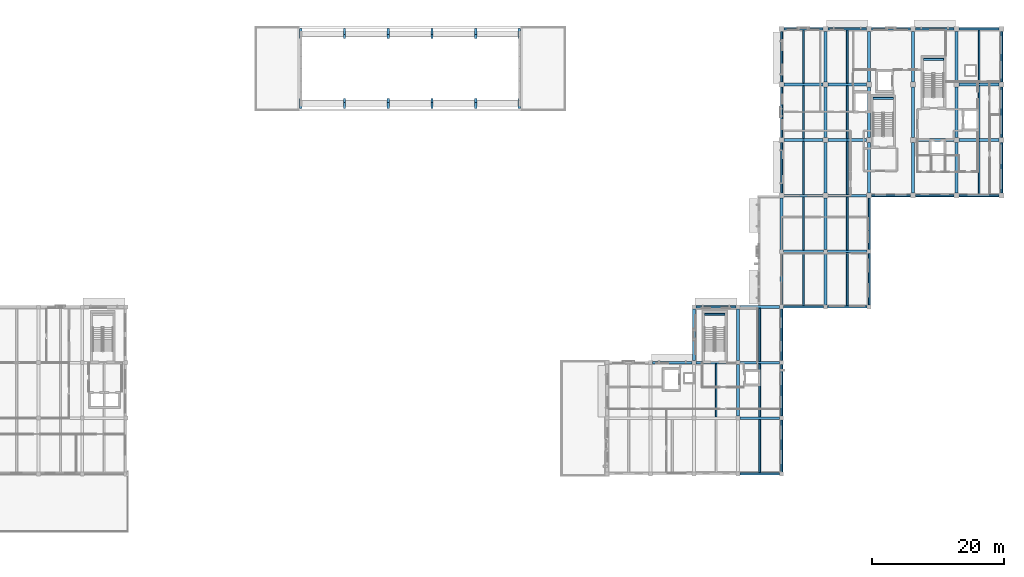
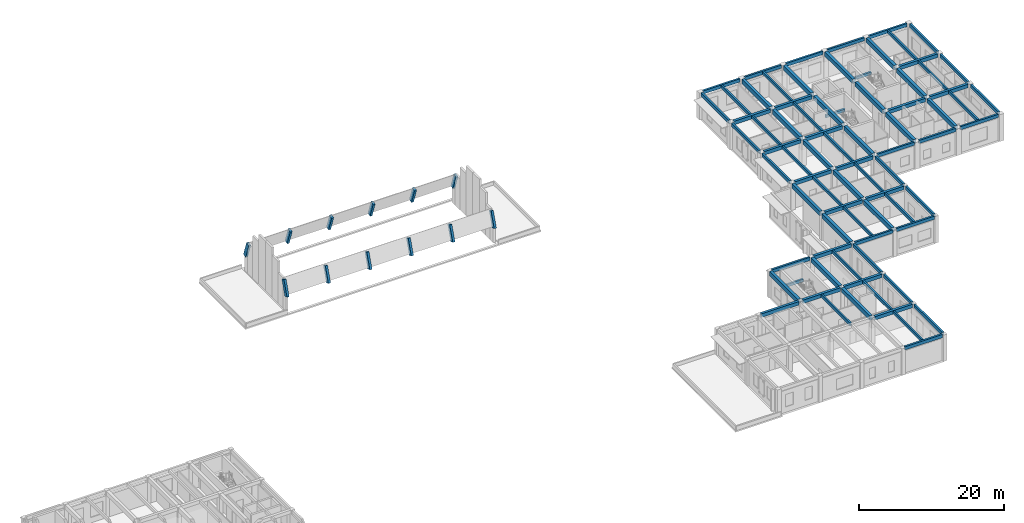
# One storey, part 2 of 25: 90 beams.
"""IFC4 building model written with IfcOpenShell, lengths in metres."""

from ifc_helpers import new_model, si_unit, direction, frame, origin, origin_2d, place, context, subcontext, project, spatial, rectangle, extrude, material, material_profile, profile_set, type_object, element, save


model = new_model("IFC4")

# Units and contexts
model_context = context("Model", 3, precision=1e-05, world=origin(), true_north=direction((0.0, 1.0)))
body_context = subcontext(model_context, "Body", "Model", "MODEL_VIEW")
ifc_project = project(units=[si_unit("LENGTHUNIT", "METRE"), si_unit("AREAUNIT", "SQUARE_METRE"), si_unit("VOLUMEUNIT", "CUBIC_METRE"), si_unit("PLANEANGLEUNIT", "RADIAN"), si_unit("MASSUNIT", "GRAM", prefix="KILO")], contexts=[model_context])

# Site, building, storey
site_placement = place(None, origin())
site = spatial("IfcSite", under=ifc_project, at=site_placement, CompositionType="ELEMENT")
building_placement = place(site_placement, origin())
building = spatial("IfcBuilding", under=site, at=building_placement, Name="Kolvaren Faculty of Natural Sciences", CompositionType="ELEMENT")
storey_placement = place(building_placement, frame((0.0, 0.0, 19.5)))
storey = spatial("IfcBuildingStorey", under=building, at=storey_placement, Name="L04", CompositionType="ELEMENT", Elevation=19.5)

# Beams
ifc_material_1 = material(Name="Concrete C40/50", Category="concrete")
ifc_material_profile_1 = material_profile(ifc_material_1, rectangle(XDim=0.300048828125, YDim=0.449951171875, at=origin_2d()), Name="RC LNT 300x450")
ifc_profile_set_1 = profile_set([ifc_material_profile_1], Name="Concrete C40/50")
beam_type_1 = type_object("IfcBeamType", Name="CoreCouplingLintel_300x450", PredefinedType="LINTEL", material=ifc_profile_set_1)
beam_1_placement = place(storey_placement, frame((160.22509765625, 79.580078125, 1.824951171875), z_axis=(1.0, 0.0, 0.0), x_axis=(0.0, 1.0, 0.0)))
element("IfcBeam", 1, at=beam_1_placement, inside=storey, type_object=beam_type_1, Name="L04 ST-1 half-landing support lintel", PredefinedType="LINTEL", context=body_context, shape_type="SweptSolid", body=[
    extrude(rectangle(XDim=0.300048828125, YDim=0.449951171875, at=origin_2d()), origin(), (0.0, 0.0, 1.0), 3.0498046875),
])
for number, where, z_axis, x_axis, name in (
    (2, (152.625, 73.679931640625, 1.824951171875), (1.0, 0.0, 0.0), (0.0, 1.0, 0.0), "L04 ST-2 half-landing support lintel"),
    (3, (127.175048828125, 41.1298828125, 1.824951171875), (1.0, 0.0, 0.0), (0.0, 1.0, 0.0), "L04 ST-3 half-landing support lintel"),
):
    element("IfcBeam", number, at=place(storey_placement, frame(where, z_axis=z_axis, x_axis=x_axis)), inside=storey, type_object=beam_type_1, Name=name, PredefinedType="LINTEL", context=body_context, shape_type="SweptSolid", body=[
        extrude(rectangle(XDim=0.300048828125, YDim=0.449951171875, at=origin_2d()), origin(), (0.0, 0.0, 1.0), 3.050048828125),
    ])
ifc_material_2 = material(Name="Concrete C35/45", Category="concrete")
ifc_material_profile_2 = material_profile(ifc_material_2, rectangle(XDim=0.39990234375, YDim=0.60009765625, at=origin_2d()), Name="RC BM 400x600")
ifc_profile_set_2 = profile_set([ifc_material_profile_2], Name="Concrete C35/45")
beam_type_2 = type_object("IfcBeamType", Name="GridBeam_400x600", PredefinedType="BEAM", material=ifc_profile_set_2)
for number, where, z_axis, x_axis, name in (
    (4, (132.5, 25.39990234375, 4.199951171875), (1.0, 0.0, 0.0), (0.0, 1.0, 0.0), "L04 beam BM-60 on grid D"),
    (5, (119.300048828125, 33.800048828125, 4.199951171875), (1.0, 0.0, 0.0), (0.0, 1.0, 0.0), "L04 beam BM-60 on grid E"),
    (6, (125.89990234375, 33.800048828125, 4.199951171875), (1.0, 0.0, 0.0), (0.0, 1.0, 0.0), "L04 beam BM-60 on grid E"),
    (7, (132.5, 33.800048828125, 4.199951171875), (1.0, 0.0, 0.0), (0.0, 1.0, 0.0), "L04 beam BM-60 on grid E"),
    (8, (132.5, 42.199951171875, 4.199951171875), (1.0, 0.0, 0.0), (0.0, 1.0, 0.0), "L04 beam BM-60 on grid F"),
    (9, (139.10009765625, 50.60009765625, 4.199951171875), (1.0, 0.0, 0.0), (0.0, 1.0, 0.0), "L04 beam BM-60 on grid G"),
    (10, (145.699951171875, 50.60009765625, 4.199951171875), (1.0, 0.0, 0.0), (0.0, 1.0, 0.0), "L04 beam BM-60 on grid G"),
):
    element("IfcBeam", number, at=place(storey_placement, frame(where, z_axis=z_axis, x_axis=x_axis)), inside=storey, type_object=beam_type_2, Name=name, PredefinedType="BEAM", context=body_context, shape_type="SweptSolid", body=[
        extrude(rectangle(XDim=0.39990234375, YDim=0.60009765625, at=origin_2d()), origin(), (0.0, 0.0, 1.0), 6.0),
    ])
beam_2_placement = place(storey_placement, frame((139.175048828125, 59.0, 4.199951171875), z_axis=(1.0, 0.0, 0.0), x_axis=(0.0, 1.0, 0.0)))
element("IfcBeam", 11, at=beam_2_placement, inside=storey, type_object=beam_type_2, Name="L04 beam BM-60 on grid H", PredefinedType="BEAM", context=body_context, shape_type="SweptSolid", body=[
    extrude(rectangle(XDim=0.39990234375, YDim=0.60009765625, at=origin_2d()), origin(), (0.0, 0.0, 1.0), 5.849853515625),
])
beam_3_placement = place(storey_placement, frame((145.77490234375, 59.0, 4.199951171875), z_axis=(1.0, 0.0, 0.0), x_axis=(0.0, 1.0, 0.0)))
element("IfcBeam", 12, at=beam_3_placement, inside=storey, type_object=beam_type_2, Name="L04 beam BM-60 on grid H", PredefinedType="BEAM", context=body_context, shape_type="SweptSolid", body=[
    extrude(rectangle(XDim=0.39990234375, YDim=0.60009765625, at=origin_2d()), origin(), (0.0, 0.0, 1.0), 5.85009765625),
])
beam_4_placement = place(storey_placement, frame((139.175048828125, 67.39990234375, 4.199951171875), z_axis=(1.0, 0.0, 0.0), x_axis=(0.0, 1.0, 0.0)))
element("IfcBeam", 13, at=beam_4_placement, inside=storey, type_object=beam_type_2, Name="L04 beam BM-60 on grid J", PredefinedType="BEAM", context=body_context, shape_type="SweptSolid", body=[
    extrude(rectangle(XDim=0.39990234375, YDim=0.60009765625, at=origin_2d()), origin(), (0.0, 0.0, 1.0), 5.849853515625),
])
beam_5_placement = place(storey_placement, frame((145.77490234375, 67.39990234375, 4.199951171875), z_axis=(1.0, 0.0, 0.0), x_axis=(0.0, 1.0, 0.0)))
element("IfcBeam", 14, at=beam_5_placement, inside=storey, type_object=beam_type_2, Name="L04 beam BM-60 on grid J", PredefinedType="BEAM", context=body_context, shape_type="SweptSolid", body=[
    extrude(rectangle(XDim=0.39990234375, YDim=0.60009765625, at=origin_2d()), origin(), (0.0, 0.0, 1.0), 5.85009765625),
])
beam_6_placement = place(storey_placement, frame((158.97509765625, 67.39990234375, 4.199951171875), z_axis=(1.0, 0.0, 0.0), x_axis=(0.0, 1.0, 0.0)))
element("IfcBeam", 15, at=beam_6_placement, inside=storey, type_object=beam_type_2, Name="L04 beam BM-60 on grid J", PredefinedType="BEAM", context=body_context, shape_type="SweptSolid", body=[
    extrude(rectangle(XDim=0.39990234375, YDim=0.60009765625, at=origin_2d()), origin(), (0.0, 0.0, 1.0), 5.849853515625),
])
beam_7_placement = place(storey_placement, frame((165.574951171875, 67.39990234375, 4.199951171875), z_axis=(1.0, 0.0, 0.0), x_axis=(0.0, 1.0, 0.0)))
element("IfcBeam", 16, at=beam_7_placement, inside=storey, type_object=beam_type_2, Name="L04 beam BM-60 on grid J", PredefinedType="BEAM", context=body_context, shape_type="SweptSolid", body=[
    extrude(rectangle(XDim=0.39990234375, YDim=0.60009765625, at=origin_2d()), origin(), (0.0, 0.0, 1.0), 6.050048828125),
])
beam_8_placement = place(storey_placement, frame((139.175048828125, 75.800048828125, 4.199951171875), z_axis=(1.0, 0.0, 0.0), x_axis=(0.0, 1.0, 0.0)))
element("IfcBeam", 17, at=beam_8_placement, inside=storey, type_object=beam_type_2, Name="L04 beam BM-60 on grid K", PredefinedType="BEAM", context=body_context, shape_type="SweptSolid", body=[
    extrude(rectangle(XDim=0.39990234375, YDim=0.60009765625, at=origin_2d()), origin(), (0.0, 0.0, 1.0), 5.849853515625),
])
beam_9_placement = place(storey_placement, frame((145.77490234375, 75.800048828125, 4.199951171875), z_axis=(1.0, 0.0, 0.0), x_axis=(0.0, 1.0, 0.0)))
element("IfcBeam", 18, at=beam_9_placement, inside=storey, type_object=beam_type_2, Name="L04 beam BM-60 on grid K", PredefinedType="BEAM", context=body_context, shape_type="SweptSolid", body=[
    extrude(rectangle(XDim=0.39990234375, YDim=0.60009765625, at=origin_2d()), origin(), (0.0, 0.0, 1.0), 5.85009765625),
])
beam_10_placement = place(storey_placement, frame((165.574951171875, 75.800048828125, 4.199951171875), z_axis=(1.0, 0.0, 0.0), x_axis=(0.0, 1.0, 0.0)))
element("IfcBeam", 19, at=beam_10_placement, inside=storey, type_object=beam_type_2, Name="L04 beam BM-60 on grid K", PredefinedType="BEAM", context=body_context, shape_type="SweptSolid", body=[
    extrude(rectangle(XDim=0.39990234375, YDim=0.60009765625, at=origin_2d()), origin(), (0.0, 0.0, 1.0), 6.050048828125),
])
ifc_material_profile_3 = material_profile(ifc_material_2, rectangle(XDim=0.260009765625, YDim=0.5, at=origin_2d()), Name="RC JST 260x500")
ifc_profile_set_3 = profile_set([ifc_material_profile_3], Name="Concrete C35/45")
beam_type_3 = type_object("IfcBeamType", Name="LabRibJoist_260x500", PredefinedType="JOIST", material=ifc_profile_set_3)
beam_11_placement = place(storey_placement, frame((128.89990234375, 25.60009765625, 4.25), z_axis=(0.0, 1.0, 0.0), x_axis=(-1.0, 0.0, 0.0)))
element("IfcBeam", 20, at=beam_11_placement, inside=storey, type_object=beam_type_3, Name="L04 ribbed laboratory slab joist JS-50", PredefinedType="JOIST", context=body_context, shape_type="SweptSolid", body=[
    extrude(rectangle(XDim=0.260009765625, YDim=0.5, at=origin_2d()), origin(), (0.0, 0.0, 1.0), 8.0),
])
beam_12_placement = place(storey_placement, frame((135.5, 17.14990234375, 4.25), z_axis=(0.0, 1.0, 0.0), x_axis=(-1.0, 0.0, 0.0)))
element("IfcBeam", 21, at=beam_12_placement, inside=storey, type_object=beam_type_3, Name="L04 ribbed laboratory slab joist JS-50", PredefinedType="JOIST", context=body_context, shape_type="SweptSolid", body=[
    extrude(rectangle(XDim=0.260009765625, YDim=0.5, at=origin_2d()), origin(), (0.0, 0.0, 1.0), 8.050048828125),
])
for number, where, z_axis, x_axis, name in (
    (22, (135.5, 25.60009765625, 4.25), (0.0, 1.0, 0.0), (-1.0, 0.0, 0.0), "L04 ribbed laboratory slab joist JS-50"),
    (23, (135.5, 34.0, 4.25), (0.0, 1.0, 0.0), (-1.0, 0.0, 0.0), "L04 ribbed laboratory slab joist JS-50"),
):
    element("IfcBeam", number, at=place(storey_placement, frame(where, z_axis=z_axis, x_axis=x_axis)), inside=storey, type_object=beam_type_3, Name=name, PredefinedType="JOIST", context=body_context, shape_type="SweptSolid", body=[
        extrude(rectangle(XDim=0.260009765625, YDim=0.5, at=origin_2d()), origin(), (0.0, 0.0, 1.0), 8.0),
    ])
beam_13_placement = place(storey_placement, frame((142.10009765625, 42.35009765625, 4.25), z_axis=(0.0, 1.0, 0.0), x_axis=(-1.0, 0.0, 0.0)))
element("IfcBeam", 24, at=beam_13_placement, inside=storey, type_object=beam_type_3, Name="L04 ribbed laboratory slab joist JS-50", PredefinedType="JOIST", context=body_context, shape_type="SweptSolid", body=[
    extrude(rectangle(XDim=0.260009765625, YDim=0.5, at=origin_2d()), origin(), (0.0, 0.0, 1.0), 8.0498046875),
])
for number, where, z_axis, x_axis, name in (
    (25, (142.10009765625, 50.800048828125, 4.25), (0.0, 1.0, 0.0), (-1.0, 0.0, 0.0), "L04 ribbed laboratory slab joist JS-50"),
    (26, (142.10009765625, 59.199951171875, 4.25), (0.0, 1.0, 0.0), (-1.0, 0.0, 0.0), "L04 ribbed laboratory slab joist JS-50"),
    (27, (142.10009765625, 67.60009765625, 4.25), (0.0, 1.0, 0.0), (-1.0, 0.0, 0.0), "L04 ribbed laboratory slab joist JS-50"),
):
    element("IfcBeam", number, at=place(storey_placement, frame(where, z_axis=z_axis, x_axis=x_axis)), inside=storey, type_object=beam_type_3, Name=name, PredefinedType="JOIST", context=body_context, shape_type="SweptSolid", body=[
        extrude(rectangle(XDim=0.260009765625, YDim=0.5, at=origin_2d()), origin(), (0.0, 0.0, 1.0), 8.0),
    ])
beam_14_placement = place(storey_placement, frame((142.10009765625, 76.0, 4.25), z_axis=(0.0, 1.0, 0.0), x_axis=(-1.0, 0.0, 0.0)))
element("IfcBeam", 28, at=beam_14_placement, inside=storey, type_object=beam_type_3, Name="L04 ribbed laboratory slab joist JS-50", PredefinedType="JOIST", context=body_context, shape_type="SweptSolid", body=[
    extrude(rectangle(XDim=0.260009765625, YDim=0.5, at=origin_2d()), origin(), (0.0, 0.0, 1.0), 8.050048828125),
])
beam_15_placement = place(storey_placement, frame((148.699951171875, 42.35009765625, 4.25), z_axis=(0.0, 1.0, 0.0), x_axis=(-1.0, 0.0, 0.0)))
element("IfcBeam", 29, at=beam_15_placement, inside=storey, type_object=beam_type_3, Name="L04 ribbed laboratory slab joist JS-50", PredefinedType="JOIST", context=body_context, shape_type="SweptSolid", body=[
    extrude(rectangle(XDim=0.260009765625, YDim=0.5, at=origin_2d()), origin(), (0.0, 0.0, 1.0), 8.0498046875),
])
for number, where, z_axis, x_axis, name in (
    (30, (148.699951171875, 50.800048828125, 4.25), (0.0, 1.0, 0.0), (-1.0, 0.0, 0.0), "L04 ribbed laboratory slab joist JS-50"),
    (31, (148.699951171875, 59.199951171875, 4.25), (0.0, 1.0, 0.0), (-1.0, 0.0, 0.0), "L04 ribbed laboratory slab joist JS-50"),
    (32, (148.699951171875, 67.60009765625, 4.25), (0.0, 1.0, 0.0), (-1.0, 0.0, 0.0), "L04 ribbed laboratory slab joist JS-50"),
):
    element("IfcBeam", number, at=place(storey_placement, frame(where, z_axis=z_axis, x_axis=x_axis)), inside=storey, type_object=beam_type_3, Name=name, PredefinedType="JOIST", context=body_context, shape_type="SweptSolid", body=[
        extrude(rectangle(XDim=0.260009765625, YDim=0.5, at=origin_2d()), origin(), (0.0, 0.0, 1.0), 8.0),
    ])
for number, where, z_axis, x_axis, name in (
    (33, (148.699951171875, 76.0, 4.25), (0.0, 1.0, 0.0), (-1.0, 0.0, 0.0), "L04 ribbed laboratory slab joist JS-50"),
    (34, (168.60009765625, 59.14990234375, 4.25), (0.0, 1.0, 0.0), (-1.0, 0.0, 0.0), "L04 ribbed laboratory slab joist JS-50"),
):
    element("IfcBeam", number, at=place(storey_placement, frame(where, z_axis=z_axis, x_axis=x_axis)), inside=storey, type_object=beam_type_3, Name=name, PredefinedType="JOIST", context=body_context, shape_type="SweptSolid", body=[
        extrude(rectangle(XDim=0.260009765625, YDim=0.5, at=origin_2d()), origin(), (0.0, 0.0, 1.0), 8.050048828125),
    ])
beam_16_placement = place(storey_placement, frame((168.60009765625, 67.60009765625, 4.25), z_axis=(0.0, 1.0, 0.0), x_axis=(-1.0, 0.0, 0.0)))
element("IfcBeam", 35, at=beam_16_placement, inside=storey, type_object=beam_type_3, Name="L04 ribbed laboratory slab joist JS-50", PredefinedType="JOIST", context=body_context, shape_type="SweptSolid", body=[
    extrude(rectangle(XDim=0.260009765625, YDim=0.5, at=origin_2d()), origin(), (0.0, 0.0, 1.0), 8.0),
])
beam_17_placement = place(storey_placement, frame((168.60009765625, 76.0, 4.25), z_axis=(0.0, 1.0, 0.0), x_axis=(-1.0, 0.0, 0.0)))
element("IfcBeam", 36, at=beam_17_placement, inside=storey, type_object=beam_type_3, Name="L04 ribbed laboratory slab joist JS-50", PredefinedType="JOIST", context=body_context, shape_type="SweptSolid", body=[
    extrude(rectangle(XDim=0.260009765625, YDim=0.5, at=origin_2d()), origin(), (0.0, 0.0, 1.0), 8.050048828125),
])
ifc_material_profile_4 = material_profile(ifc_material_2, rectangle(XDim=0.300048828125, YDim=0.550048828125, at=origin_2d()), Name="RC SP 300x550")
ifc_profile_set_4 = profile_set([ifc_material_profile_4], Name="Concrete C35/45")
beam_type_4 = type_object("IfcBeamType", Name="PerimeterSpandrel_300x550", PredefinedType="SPANDREL", material=ifc_profile_set_4)
for number, where, z_axis, x_axis, name in (
    (37, (132.5, 17.0, 4.22509765625), (1.0, 0.0, 0.0), (0.0, 1.0, 0.0), "L04 spandrel SP-55 on grid C"),
    (38, (125.89990234375, 42.199951171875, 4.22509765625), (1.0, 0.0, 0.0), (0.0, 1.0, 0.0), "L04 spandrel SP-55 on grid F"),
    (39, (139.10009765625, 42.199951171875, 4.22509765625), (1.0, 0.0, 0.0), (0.0, 1.0, 0.0), "L04 spandrel SP-55 on grid F"),
    (40, (145.699951171875, 42.199951171875, 4.22509765625), (1.0, 0.0, 0.0), (0.0, 1.0, 0.0), "L04 spandrel SP-55 on grid F"),
):
    element("IfcBeam", number, at=place(storey_placement, frame(where, z_axis=z_axis, x_axis=x_axis)), inside=storey, type_object=beam_type_4, Name=name, PredefinedType="SPANDREL", context=body_context, shape_type="SweptSolid", body=[
        extrude(rectangle(XDim=0.300048828125, YDim=0.550048828125, at=origin_2d()), origin(), (0.0, 0.0, 1.0), 6.0),
    ])
beam_18_placement = place(storey_placement, frame((152.375, 59.0, 4.22509765625), z_axis=(1.0, 0.0, 0.0), x_axis=(0.0, 1.0, 0.0)))
element("IfcBeam", 41, at=beam_18_placement, inside=storey, type_object=beam_type_4, Name="L04 spandrel SP-55 on grid H", PredefinedType="SPANDREL", context=body_context, shape_type="SweptSolid", body=[
    extrude(rectangle(XDim=0.300048828125, YDim=0.550048828125, at=origin_2d()), origin(), (0.0, 0.0, 1.0), 5.85009765625),
])
beam_19_placement = place(storey_placement, frame((158.97509765625, 59.0, 4.22509765625), z_axis=(1.0, 0.0, 0.0), x_axis=(0.0, 1.0, 0.0)))
element("IfcBeam", 42, at=beam_19_placement, inside=storey, type_object=beam_type_4, Name="L04 spandrel SP-55 on grid H", PredefinedType="SPANDREL", context=body_context, shape_type="SweptSolid", body=[
    extrude(rectangle(XDim=0.300048828125, YDim=0.550048828125, at=origin_2d()), origin(), (0.0, 0.0, 1.0), 5.849853515625),
])
beam_20_placement = place(storey_placement, frame((165.574951171875, 59.0, 4.22509765625), z_axis=(1.0, 0.0, 0.0), x_axis=(0.0, 1.0, 0.0)))
element("IfcBeam", 43, at=beam_20_placement, inside=storey, type_object=beam_type_4, Name="L04 spandrel SP-55 on grid H", PredefinedType="SPANDREL", context=body_context, shape_type="SweptSolid", body=[
    extrude(rectangle(XDim=0.300048828125, YDim=0.550048828125, at=origin_2d()), origin(), (0.0, 0.0, 1.0), 6.050048828125),
])
beam_21_placement = place(storey_placement, frame((139.175048828125, 84.199951171875, 4.22509765625), z_axis=(1.0, 0.0, 0.0), x_axis=(0.0, 1.0, 0.0)))
element("IfcBeam", 44, at=beam_21_placement, inside=storey, type_object=beam_type_4, Name="L04 spandrel SP-55 on grid L", PredefinedType="SPANDREL", context=body_context, shape_type="SweptSolid", body=[
    extrude(rectangle(XDim=0.300048828125, YDim=0.550048828125, at=origin_2d()), origin(), (0.0, 0.0, 1.0), 5.849853515625),
])
for number, where, z_axis, x_axis, name in (
    (45, (145.77490234375, 84.199951171875, 4.22509765625), (1.0, 0.0, 0.0), (0.0, 1.0, 0.0), "L04 spandrel SP-55 on grid L"),
    (46, (152.375, 84.199951171875, 4.22509765625), (1.0, 0.0, 0.0), (0.0, 1.0, 0.0), "L04 spandrel SP-55 on grid L"),
):
    element("IfcBeam", number, at=place(storey_placement, frame(where, z_axis=z_axis, x_axis=x_axis)), inside=storey, type_object=beam_type_4, Name=name, PredefinedType="SPANDREL", context=body_context, shape_type="SweptSolid", body=[
        extrude(rectangle(XDim=0.300048828125, YDim=0.550048828125, at=origin_2d()), origin(), (0.0, 0.0, 1.0), 5.85009765625),
    ])
beam_22_placement = place(storey_placement, frame((158.97509765625, 84.199951171875, 4.22509765625), z_axis=(1.0, 0.0, 0.0), x_axis=(0.0, 1.0, 0.0)))
element("IfcBeam", 47, at=beam_22_placement, inside=storey, type_object=beam_type_4, Name="L04 spandrel SP-55 on grid L", PredefinedType="SPANDREL", context=body_context, shape_type="SweptSolid", body=[
    extrude(rectangle(XDim=0.300048828125, YDim=0.550048828125, at=origin_2d()), origin(), (0.0, 0.0, 1.0), 5.849853515625),
])
beam_23_placement = place(storey_placement, frame((165.574951171875, 84.199951171875, 4.22509765625), z_axis=(1.0, 0.0, 0.0), x_axis=(0.0, 1.0, 0.0)))
element("IfcBeam", 48, at=beam_23_placement, inside=storey, type_object=beam_type_4, Name="L04 spandrel SP-55 on grid L", PredefinedType="SPANDREL", context=body_context, shape_type="SweptSolid", body=[
    extrude(rectangle(XDim=0.300048828125, YDim=0.550048828125, at=origin_2d()), origin(), (0.0, 0.0, 1.0), 6.050048828125),
])
for number, where, z_axis, x_axis, name in (
    (49, (138.800048828125, 17.300048828125, 4.22509765625), (0.0, 1.0, 0.0), (-1.0, 0.0, 0.0), "L04 girder SP-55 on grid 22"),
    (50, (138.800048828125, 25.699951171875, 4.22509765625), (0.0, 1.0, 0.0), (-1.0, 0.0, 0.0), "L04 girder SP-55 on grid 22"),
):
    element("IfcBeam", number, at=place(storey_placement, frame(where, z_axis=z_axis, x_axis=x_axis)), inside=storey, type_object=beam_type_4, Name=name, PredefinedType="SPANDREL", context=body_context, shape_type="SweptSolid", body=[
        extrude(rectangle(XDim=0.300048828125, YDim=0.550048828125, at=origin_2d()), origin(), (0.0, 0.0, 1.0), 7.800048828125),
    ])
beam_24_placement = place(storey_placement, frame((138.800048828125, 34.10009765625, 4.22509765625), z_axis=(0.0, 1.0, 0.0), x_axis=(-1.0, 0.0, 0.0)))
element("IfcBeam", 51, at=beam_24_placement, inside=storey, type_object=beam_type_4, Name="L04 girder SP-55 on grid 22", PredefinedType="SPANDREL", context=body_context, shape_type="SweptSolid", body=[
    extrude(rectangle(XDim=0.300048828125, YDim=0.550048828125, at=origin_2d()), origin(), (0.0, 0.0, 1.0), 7.7998046875),
])
beam_25_placement = place(storey_placement, frame((138.800048828125, 59.375, 4.22509765625), z_axis=(0.0, 1.0, 0.0), x_axis=(-1.0, 0.0, 0.0)))
element("IfcBeam", 52, at=beam_25_placement, inside=storey, type_object=beam_type_4, Name="L04 girder SP-55 on grid 22", PredefinedType="SPANDREL", context=body_context, shape_type="SweptSolid", body=[
    extrude(rectangle(XDim=0.300048828125, YDim=0.550048828125, at=origin_2d()), origin(), (0.0, 0.0, 1.0), 7.64990234375),
])
beam_26_placement = place(storey_placement, frame((138.800048828125, 67.77490234375, 4.22509765625), z_axis=(0.0, 1.0, 0.0), x_axis=(-1.0, 0.0, 0.0)))
element("IfcBeam", 53, at=beam_26_placement, inside=storey, type_object=beam_type_4, Name="L04 girder SP-55 on grid 22", PredefinedType="SPANDREL", context=body_context, shape_type="SweptSolid", body=[
    extrude(rectangle(XDim=0.300048828125, YDim=0.550048828125, at=origin_2d()), origin(), (0.0, 0.0, 1.0), 7.650146484375),
])
beam_27_placement = place(storey_placement, frame((138.800048828125, 76.175048828125, 4.22509765625), z_axis=(0.0, 1.0, 0.0), x_axis=(-1.0, 0.0, 0.0)))
element("IfcBeam", 54, at=beam_27_placement, inside=storey, type_object=beam_type_4, Name="L04 girder SP-55 on grid 22", PredefinedType="SPANDREL", context=body_context, shape_type="SweptSolid", body=[
    extrude(rectangle(XDim=0.300048828125, YDim=0.550048828125, at=origin_2d()), origin(), (0.0, 0.0, 1.0), 7.64990234375),
])
beam_28_placement = place(storey_placement, frame((152.0, 42.5, 4.22509765625), z_axis=(0.0, 1.0, 0.0), x_axis=(-1.0, 0.0, 0.0)))
element("IfcBeam", 55, at=beam_28_placement, inside=storey, type_object=beam_type_4, Name="L04 girder SP-55 on grid 24", PredefinedType="SPANDREL", context=body_context, shape_type="SweptSolid", body=[
    extrude(rectangle(XDim=0.300048828125, YDim=0.550048828125, at=origin_2d()), origin(), (0.0, 0.0, 1.0), 7.800048828125),
])
beam_29_placement = place(storey_placement, frame((152.0, 50.89990234375, 4.22509765625), z_axis=(0.0, 1.0, 0.0), x_axis=(-1.0, 0.0, 0.0)))
element("IfcBeam", 56, at=beam_29_placement, inside=storey, type_object=beam_type_4, Name="L04 girder SP-55 on grid 24", PredefinedType="SPANDREL", context=body_context, shape_type="SweptSolid", body=[
    extrude(rectangle(XDim=0.300048828125, YDim=0.550048828125, at=origin_2d()), origin(), (0.0, 0.0, 1.0), 7.72509765625),
])
beam_30_placement = place(storey_placement, frame((172.0, 59.375, 4.22509765625), z_axis=(0.0, 1.0, 0.0), x_axis=(-1.0, 0.0, 0.0)))
element("IfcBeam", 57, at=beam_30_placement, inside=storey, type_object=beam_type_4, Name="L04 girder SP-55 on grid 27", PredefinedType="SPANDREL", context=body_context, shape_type="SweptSolid", body=[
    extrude(rectangle(XDim=0.300048828125, YDim=0.550048828125, at=origin_2d()), origin(), (0.0, 0.0, 1.0), 7.64990234375),
])
beam_31_placement = place(storey_placement, frame((172.0, 67.77490234375, 4.22509765625), z_axis=(0.0, 1.0, 0.0), x_axis=(-1.0, 0.0, 0.0)))
element("IfcBeam", 58, at=beam_31_placement, inside=storey, type_object=beam_type_4, Name="L04 girder SP-55 on grid 27", PredefinedType="SPANDREL", context=body_context, shape_type="SweptSolid", body=[
    extrude(rectangle(XDim=0.300048828125, YDim=0.550048828125, at=origin_2d()), origin(), (0.0, 0.0, 1.0), 7.650146484375),
])
beam_32_placement = place(storey_placement, frame((172.0, 76.175048828125, 4.22509765625), z_axis=(0.0, 1.0, 0.0), x_axis=(-1.0, 0.0, 0.0)))
element("IfcBeam", 59, at=beam_32_placement, inside=storey, type_object=beam_type_4, Name="L04 girder SP-55 on grid 27", PredefinedType="SPANDREL", context=body_context, shape_type="SweptSolid", body=[
    extrude(rectangle(XDim=0.300048828125, YDim=0.550048828125, at=origin_2d()), origin(), (0.0, 0.0, 1.0), 7.64990234375),
])
ifc_material_profile_5 = material_profile(ifc_material_2, rectangle(XDim=0.449951171875, YDim=0.75, at=origin_2d()), Name="RC BM 450x750")
ifc_profile_set_5 = profile_set([ifc_material_profile_5], Name="Concrete C35/45")
beam_type_5 = type_object("IfcBeamType", Name="PrimaryGirder_450x750", PredefinedType="BEAM", material=ifc_profile_set_5)
beam_33_placement = place(storey_placement, frame((125.60009765625, 34.10009765625, 4.125), z_axis=(0.0, 1.0, 0.0), x_axis=(-1.0, 0.0, 0.0)))
element("IfcBeam", 60, at=beam_33_placement, inside=storey, type_object=beam_type_5, Name="L04 girder BG-75 on grid 20", PredefinedType="BEAM", context=body_context, shape_type="SweptSolid", body=[
    extrude(rectangle(XDim=0.449951171875, YDim=0.75, at=origin_2d()), origin(), (0.0, 0.0, 1.0), 7.7998046875),
])
beam_34_placement = place(storey_placement, frame((132.199951171875, 25.699951171875, 4.125), z_axis=(0.0, 1.0, 0.0), x_axis=(-1.0, 0.0, 0.0)))
element("IfcBeam", 61, at=beam_34_placement, inside=storey, type_object=beam_type_5, Name="L04 girder BG-75 on grid 21", PredefinedType="BEAM", context=body_context, shape_type="SweptSolid", body=[
    extrude(rectangle(XDim=0.449951171875, YDim=0.75, at=origin_2d()), origin(), (0.0, 0.0, 1.0), 7.800048828125),
])
beam_35_placement = place(storey_placement, frame((132.199951171875, 34.10009765625, 4.125), z_axis=(0.0, 1.0, 0.0), x_axis=(-1.0, 0.0, 0.0)))
element("IfcBeam", 62, at=beam_35_placement, inside=storey, type_object=beam_type_5, Name="L04 girder BG-75 on grid 21", PredefinedType="BEAM", context=body_context, shape_type="SweptSolid", body=[
    extrude(rectangle(XDim=0.449951171875, YDim=0.75, at=origin_2d()), origin(), (0.0, 0.0, 1.0), 7.7998046875),
])
beam_36_placement = place(storey_placement, frame((138.800048828125, 42.5, 4.125), z_axis=(0.0, 1.0, 0.0), x_axis=(-1.0, 0.0, 0.0)))
element("IfcBeam", 63, at=beam_36_placement, inside=storey, type_object=beam_type_5, Name="L04 girder BG-75 on grid 22", PredefinedType="BEAM", context=body_context, shape_type="SweptSolid", body=[
    extrude(rectangle(XDim=0.449951171875, YDim=0.75, at=origin_2d()), origin(), (0.0, 0.0, 1.0), 7.800048828125),
])
beam_37_placement = place(storey_placement, frame((138.800048828125, 50.89990234375, 4.125), z_axis=(0.0, 1.0, 0.0), x_axis=(-1.0, 0.0, 0.0)))
element("IfcBeam", 64, at=beam_37_placement, inside=storey, type_object=beam_type_5, Name="L04 girder BG-75 on grid 22", PredefinedType="BEAM", context=body_context, shape_type="SweptSolid", body=[
    extrude(rectangle(XDim=0.449951171875, YDim=0.75, at=origin_2d()), origin(), (0.0, 0.0, 1.0), 7.72509765625),
])
beam_38_placement = place(storey_placement, frame((145.39990234375, 42.5, 4.125), z_axis=(0.0, 1.0, 0.0), x_axis=(-1.0, 0.0, 0.0)))
element("IfcBeam", 65, at=beam_38_placement, inside=storey, type_object=beam_type_5, Name="L04 girder BG-75 on grid 23", PredefinedType="BEAM", context=body_context, shape_type="SweptSolid", body=[
    extrude(rectangle(XDim=0.449951171875, YDim=0.75, at=origin_2d()), origin(), (0.0, 0.0, 1.0), 7.800048828125),
])
beam_39_placement = place(storey_placement, frame((145.39990234375, 50.89990234375, 4.125), z_axis=(0.0, 1.0, 0.0), x_axis=(-1.0, 0.0, 0.0)))
element("IfcBeam", 66, at=beam_39_placement, inside=storey, type_object=beam_type_5, Name="L04 girder BG-75 on grid 23", PredefinedType="BEAM", context=body_context, shape_type="SweptSolid", body=[
    extrude(rectangle(XDim=0.449951171875, YDim=0.75, at=origin_2d()), origin(), (0.0, 0.0, 1.0), 7.72509765625),
])
beam_40_placement = place(storey_placement, frame((145.39990234375, 59.375, 4.125), z_axis=(0.0, 1.0, 0.0), x_axis=(-1.0, 0.0, 0.0)))
element("IfcBeam", 67, at=beam_40_placement, inside=storey, type_object=beam_type_5, Name="L04 girder BG-75 on grid 23", PredefinedType="BEAM", context=body_context, shape_type="SweptSolid", body=[
    extrude(rectangle(XDim=0.449951171875, YDim=0.75, at=origin_2d()), origin(), (0.0, 0.0, 1.0), 7.64990234375),
])
beam_41_placement = place(storey_placement, frame((145.39990234375, 67.77490234375, 4.125), z_axis=(0.0, 1.0, 0.0), x_axis=(-1.0, 0.0, 0.0)))
element("IfcBeam", 68, at=beam_41_placement, inside=storey, type_object=beam_type_5, Name="L04 girder BG-75 on grid 23", PredefinedType="BEAM", context=body_context, shape_type="SweptSolid", body=[
    extrude(rectangle(XDim=0.449951171875, YDim=0.75, at=origin_2d()), origin(), (0.0, 0.0, 1.0), 7.650146484375),
])
for number, where, z_axis, x_axis, name in (
    (69, (145.39990234375, 76.175048828125, 4.125), (0.0, 1.0, 0.0), (-1.0, 0.0, 0.0), "L04 girder BG-75 on grid 23"),
    (70, (152.0, 59.375, 4.125), (0.0, 1.0, 0.0), (-1.0, 0.0, 0.0), "L04 girder BG-75 on grid 24"),
):
    element("IfcBeam", number, at=place(storey_placement, frame(where, z_axis=z_axis, x_axis=x_axis)), inside=storey, type_object=beam_type_5, Name=name, PredefinedType="BEAM", context=body_context, shape_type="SweptSolid", body=[
        extrude(rectangle(XDim=0.449951171875, YDim=0.75, at=origin_2d()), origin(), (0.0, 0.0, 1.0), 7.64990234375),
    ])
beam_42_placement = place(storey_placement, frame((152.0, 67.77490234375, 4.125), z_axis=(0.0, 1.0, 0.0), x_axis=(-1.0, 0.0, 0.0)))
element("IfcBeam", 71, at=beam_42_placement, inside=storey, type_object=beam_type_5, Name="L04 girder BG-75 on grid 24", PredefinedType="BEAM", context=body_context, shape_type="SweptSolid", body=[
    extrude(rectangle(XDim=0.449951171875, YDim=0.75, at=origin_2d()), origin(), (0.0, 0.0, 1.0), 7.650146484375),
])
for number, where, z_axis, x_axis, name in (
    (72, (152.0, 76.175048828125, 4.125), (0.0, 1.0, 0.0), (-1.0, 0.0, 0.0), "L04 girder BG-75 on grid 24"),
    (73, (158.60009765625, 59.375, 4.125), (0.0, 1.0, 0.0), (-1.0, 0.0, 0.0), "L04 girder BG-75 on grid 25"),
):
    element("IfcBeam", number, at=place(storey_placement, frame(where, z_axis=z_axis, x_axis=x_axis)), inside=storey, type_object=beam_type_5, Name=name, PredefinedType="BEAM", context=body_context, shape_type="SweptSolid", body=[
        extrude(rectangle(XDim=0.449951171875, YDim=0.75, at=origin_2d()), origin(), (0.0, 0.0, 1.0), 7.64990234375),
    ])
beam_43_placement = place(storey_placement, frame((158.60009765625, 67.77490234375, 4.125), z_axis=(0.0, 1.0, 0.0), x_axis=(-1.0, 0.0, 0.0)))
element("IfcBeam", 74, at=beam_43_placement, inside=storey, type_object=beam_type_5, Name="L04 girder BG-75 on grid 25", PredefinedType="BEAM", context=body_context, shape_type="SweptSolid", body=[
    extrude(rectangle(XDim=0.449951171875, YDim=0.75, at=origin_2d()), origin(), (0.0, 0.0, 1.0), 7.650146484375),
])
for number, where, z_axis, x_axis, name in (
    (75, (158.60009765625, 76.175048828125, 4.125), (0.0, 1.0, 0.0), (-1.0, 0.0, 0.0), "L04 girder BG-75 on grid 25"),
    (76, (165.199951171875, 59.375, 4.125), (0.0, 1.0, 0.0), (-1.0, 0.0, 0.0), "L04 girder BG-75 on grid 26"),
):
    element("IfcBeam", number, at=place(storey_placement, frame(where, z_axis=z_axis, x_axis=x_axis)), inside=storey, type_object=beam_type_5, Name=name, PredefinedType="BEAM", context=body_context, shape_type="SweptSolid", body=[
        extrude(rectangle(XDim=0.449951171875, YDim=0.75, at=origin_2d()), origin(), (0.0, 0.0, 1.0), 7.64990234375),
    ])
beam_44_placement = place(storey_placement, frame((165.199951171875, 67.77490234375, 4.125), z_axis=(0.0, 1.0, 0.0), x_axis=(-1.0, 0.0, 0.0)))
element("IfcBeam", 77, at=beam_44_placement, inside=storey, type_object=beam_type_5, Name="L04 girder BG-75 on grid 26", PredefinedType="BEAM", context=body_context, shape_type="SweptSolid", body=[
    extrude(rectangle(XDim=0.449951171875, YDim=0.75, at=origin_2d()), origin(), (0.0, 0.0, 1.0), 7.650146484375),
])
beam_45_placement = place(storey_placement, frame((165.199951171875, 76.175048828125, 4.125), z_axis=(0.0, 1.0, 0.0), x_axis=(-1.0, 0.0, 0.0)))
element("IfcBeam", 78, at=beam_45_placement, inside=storey, type_object=beam_type_5, Name="L04 girder BG-75 on grid 26", PredefinedType="BEAM", context=body_context, shape_type="SweptSolid", body=[
    extrude(rectangle(XDim=0.449951171875, YDim=0.75, at=origin_2d()), origin(), (0.0, 0.0, 1.0), 7.64990234375),
])
ifc_material_profile_6 = material_profile(ifc_material_1, rectangle(XDim=0.35009765625, YDim=0.64990234375, at=origin_2d()), Name="RC RB 350x650")
ifc_profile_set_6 = profile_set([ifc_material_profile_6], Name="Concrete C40/50")
beam_type_6 = type_object("IfcBeamType", Name="ShellArchRib_350x650", PredefinedType="BEAM", material=ifc_profile_set_6)
for number, where, z_axis, x_axis, name in (
    (79, (66.199951171875, 72.49365234375, 2.439208984375), (0.0, 0.328159653755, 0.944622274588), (-1.0, 0.0, 0.0), "Central Sky-Lit Atrium Barrel Vault Shell arched stiffening rib 1.2"),
    (80, (66.199951171875, 83.05419921875, 4.892578125), (0.0, 0.328075771172, -0.944651411035), (-1.0, 0.0, 0.0), "Central Sky-Lit Atrium Barrel Vault Shell arched stiffening rib 1.9"),
    (81, (72.800048828125, 72.49365234375, 2.439208984375), (0.0, 0.328159653755, 0.944622274588), (-1.0, 0.0, 0.0), "Central Sky-Lit Atrium Barrel Vault Shell arched stiffening rib 2.2"),
    (82, (72.800048828125, 83.05419921875, 4.892578125), (0.0, 0.328075771172, -0.944651411035), (-1.0, 0.0, 0.0), "Central Sky-Lit Atrium Barrel Vault Shell arched stiffening rib 2.9"),
    (83, (79.39990234375, 72.49365234375, 2.439208984375), (0.0, 0.328159653755, 0.944622274588), (-1.0, 0.0, 0.0), "Central Sky-Lit Atrium Barrel Vault Shell arched stiffening rib 3.2"),
    (84, (79.39990234375, 83.05419921875, 4.892578125), (0.0, 0.328075771172, -0.944651411035), (-1.0, 0.0, 0.0), "Central Sky-Lit Atrium Barrel Vault Shell arched stiffening rib 3.9"),
    (85, (86.0, 72.49365234375, 2.439208984375), (0.0, 0.328159653755, 0.944622274588), (-1.0, 0.0, 0.0), "Central Sky-Lit Atrium Barrel Vault Shell arched stiffening rib 4.2"),
    (86, (86.0, 83.05419921875, 4.892578125), (0.0, 0.328075771172, -0.944651411035), (-1.0, 0.0, 0.0), "Central Sky-Lit Atrium Barrel Vault Shell arched stiffening rib 4.9"),
    (87, (92.60009765625, 72.49365234375, 2.439208984375), (0.0, 0.328159653755, 0.944622274588), (-1.0, 0.0, 0.0), "Central Sky-Lit Atrium Barrel Vault Shell arched stiffening rib 5.2"),
    (88, (92.60009765625, 83.05419921875, 4.892578125), (0.0, 0.328075771172, -0.944651411035), (-1.0, 0.0, 0.0), "Central Sky-Lit Atrium Barrel Vault Shell arched stiffening rib 5.9"),
    (89, (99.199951171875, 72.49365234375, 2.439208984375), (0.0, 0.328159653755, 0.944622274588), (-1.0, 0.0, 0.0), "Central Sky-Lit Atrium Barrel Vault Shell arched stiffening rib 6.2"),
    (90, (99.199951171875, 83.05419921875, 4.892578125), (0.0, 0.328075771172, -0.944651411035), (-1.0, 0.0, 0.0), "Central Sky-Lit Atrium Barrel Vault Shell arched stiffening rib 6.9"),
):
    element("IfcBeam", number, at=place(storey_placement, frame(where, z_axis=z_axis, x_axis=x_axis)), inside=storey, type_object=beam_type_6, Name=name, PredefinedType="BEAM", context=body_context, shape_type="SweptSolid", body=[
        extrude(rectangle(XDim=0.35009765625, YDim=0.64990234375, at=origin_2d()), origin(), (0.0, 0.0, 1.0), 2.59716796875),
    ])

save(model, "model.ifc")
